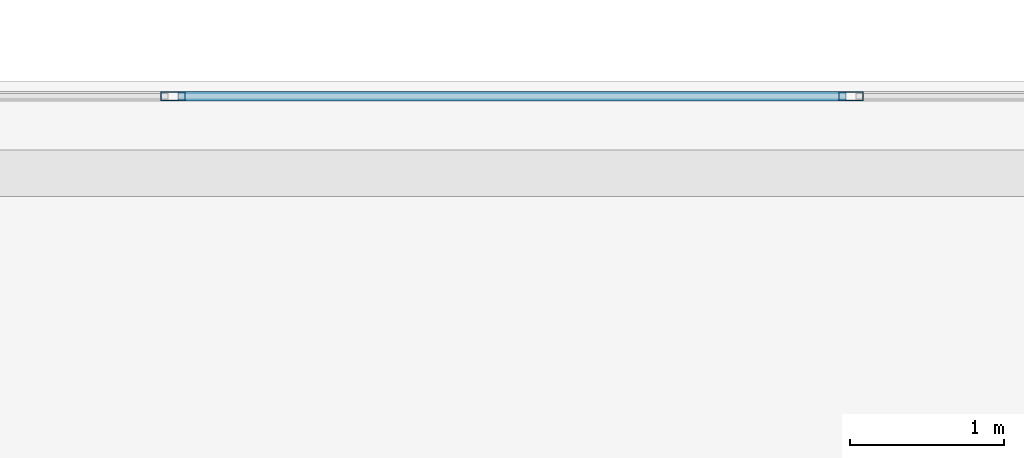
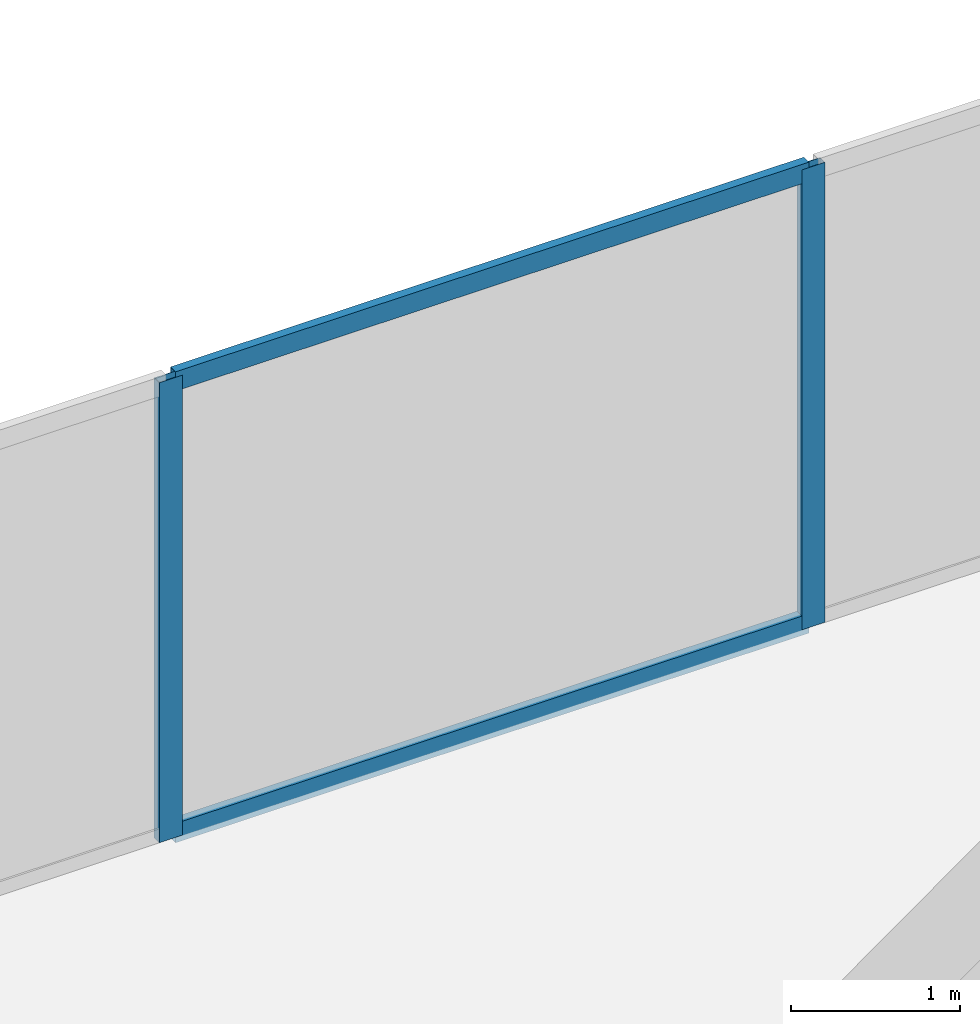
# One storey, part 22 of 32: 4 members, 1 element without a shape of its own.
"""IFC4 building model written with IfcOpenShell, lengths in metres."""

from ifc_helpers import new_model, si_unit, direction, frame, origin, origin_2d, place, context, subcontext, project, spatial, hollow_rectangle, extrude, material, layer, layer_set, material_profile, profile_set, type_object, element, aggregate, save


model = new_model("IFC4")

# Units and contexts
model_context = context("Model", 3, precision=1e-05, world=origin(), true_north=direction((0.0, 1.0)))
body_context = subcontext(model_context, "Body", "Model", "MODEL_VIEW")
ifc_project = project(units=[si_unit("LENGTHUNIT", "METRE"), si_unit("AREAUNIT", "SQUARE_METRE"), si_unit("VOLUMEUNIT", "CUBIC_METRE"), si_unit("PLANEANGLEUNIT", "RADIAN"), si_unit("MASSUNIT", "GRAM", prefix="KILO")], contexts=[model_context])

# Site, building, storey
site_placement = place(None, origin())
site = spatial("IfcSite", under=ifc_project, at=site_placement, CompositionType="ELEMENT")
building_placement = place(site_placement, origin())
building = spatial("IfcBuilding", under=site, at=building_placement, Name="Catumbela Crestline Tower", CompositionType="ELEMENT")
storey_placement = place(building_placement, frame((0.0, 0.0, 136.8)))
storey = spatial("IfcBuildingStorey", under=building, at=storey_placement, Name="L35", CompositionType="ELEMENT", Elevation=136.8)

# Curtain wall, members
ifc_material = material(Name="Aluminium alloy AW-6060-T66", Category="aluminium")
ifc_layer = layer(ifc_material, 0.18, Name="Aluminium alloy AW-6060-T66")
ifc_layer_set = layer_set([ifc_layer], Name="Aluminium alloy AW-6060-T66")
curtain_wall_type = type_object("IfcCurtainWallType", Name="CWU-Z2", PredefinedType="USERDEFINED", material=ifc_layer_set)
curtain_wall_placement = place(storey_placement, origin())
curtain_wall = element("IfcCurtainWall", 1, at=curtain_wall_placement, inside=storey, type_object=curtain_wall_type, Name="L35 Unitised Curtain Wall CW-L35-E7S1", ObjectType="UNITISED", PredefinedType="USERDEFINED")
ifc_material_profile_1 = material_profile(ifc_material, hollow_rectangle(XDim=0.06, YDim=0.16, WallThickness=0.004, at=origin_2d()), Name="ALU 160x60x4")
ifc_profile_set_1 = profile_set([ifc_material_profile_1], Name="Aluminium alloy AW-6060-T66")
member_type_1 = type_object("IfcMemberType", Name="MUL-160X60", PredefinedType="MULLION", material=ifc_profile_set_1)
member_1_placement = place(storey_placement, frame((29.9, 47.9, 0.0), z_axis=(0.0, 0.0, 1.0), x_axis=(0.0, -1.0, 0.0)))
member_1 = element("IfcMember", 2, at=member_1_placement, type_object=member_type_1, Name="CWU-Z2 mullion 5", PredefinedType="MULLION", context=body_context, shape_type="SweptSolid", body=[
    extrude(hollow_rectangle(XDim=0.06, YDim=0.16, WallThickness=0.004, at=origin_2d()), origin(), (0.0, 0.0, 1.0), 3.33),
])
member_2_placement = place(storey_placement, frame((25.5, 47.9, 0.0), z_axis=(0.0, 0.0, 1.0), x_axis=(0.0, -1.0, 0.0)))
member_2 = element("IfcMember", 3, at=member_2_placement, type_object=member_type_1, Name="CWU-Z2 mullion 6", PredefinedType="MULLION", context=body_context, shape_type="SweptSolid", body=[
    extrude(hollow_rectangle(XDim=0.06, YDim=0.16, WallThickness=0.004, at=origin_2d()), origin(), (0.0, 0.0, 1.0), 3.33),
])
ifc_material_profile_2 = material_profile(ifc_material, hollow_rectangle(XDim=0.06, YDim=0.14, WallThickness=0.004, at=origin_2d()), Name="ALU 140x60x4")
ifc_profile_set_2 = profile_set([ifc_material_profile_2], Name="Aluminium alloy AW-6060-T66")
member_type_2 = type_object("IfcMemberType", Name="TRN-140X60", PredefinedType="USERDEFINED", material=ifc_profile_set_2)
member_3_placement = place(storey_placement, frame((29.8675, 47.9, 0.03), z_axis=(-1.0, 0.0, 0.0), x_axis=(0.0, -1.0, 0.0)))
member_3 = element("IfcMember", 4, at=member_3_placement, type_object=member_type_2, Name="CWU-Z2 transom 5.1", ObjectType="TRANSOM", PredefinedType="USERDEFINED", context=body_context, shape_type="SweptSolid", body=[
    extrude(hollow_rectangle(XDim=0.06, YDim=0.14, WallThickness=0.004, at=origin_2d()), origin(), (0.0, 0.0, 1.0), 4.335),
])
member_4_placement = place(storey_placement, frame((29.8675, 47.9, 3.3), z_axis=(-1.0, 0.0, 0.0), x_axis=(0.0, -1.0, 0.0)))
member_4 = element("IfcMember", 5, at=member_4_placement, type_object=member_type_2, Name="CWU-Z2 transom 5.2", ObjectType="TRANSOM", PredefinedType="USERDEFINED", context=body_context, shape_type="SweptSolid", body=[
    extrude(hollow_rectangle(XDim=0.06, YDim=0.14, WallThickness=0.004, at=origin_2d()), origin(), (0.0, 0.0, 1.0), 4.335),
])
aggregate(curtain_wall, [member_1, member_2, member_3, member_4])

save(model, "model.ifc")
